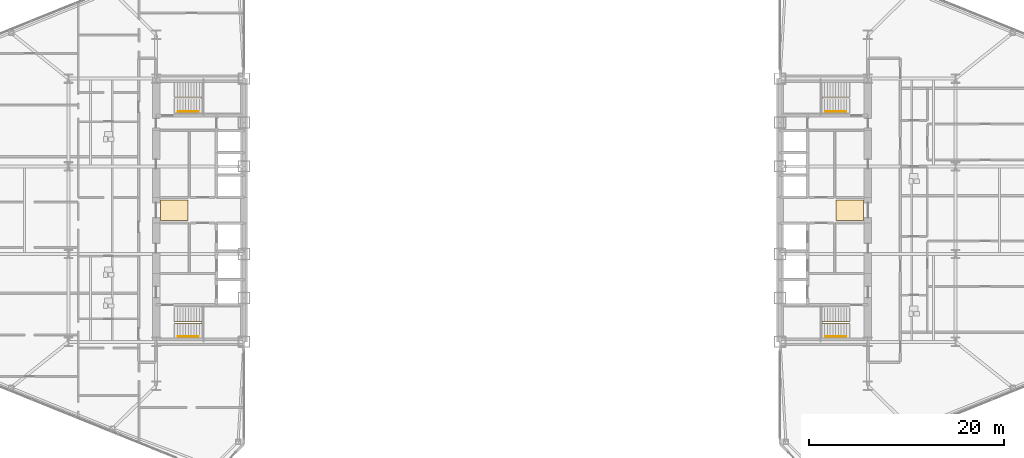
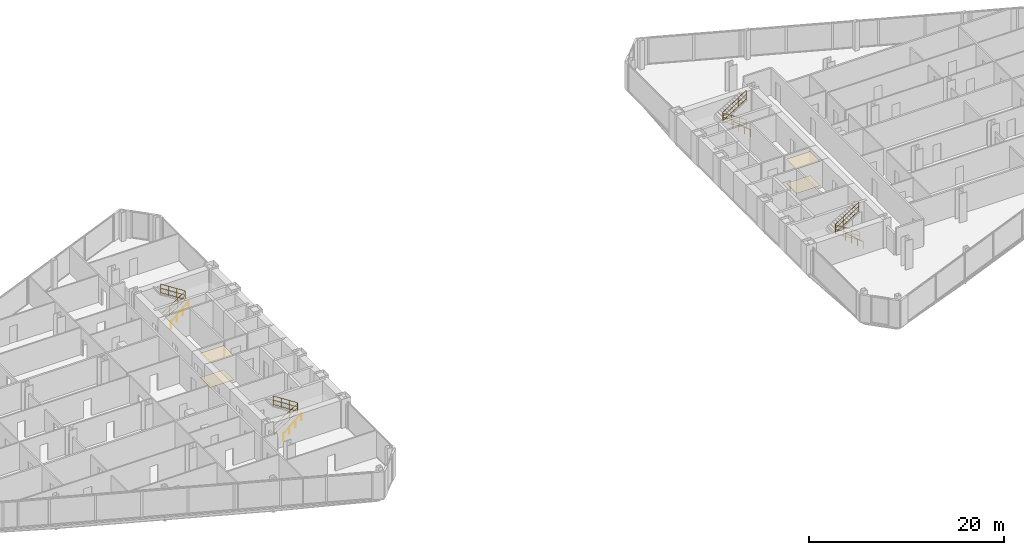
# One storey, part 24 of 25: 8 railings, 4 coverings.
"""IFC4 building model written with IfcOpenShell, lengths in metres."""

from ifc_helpers import new_model, si_unit, direction, frame, origin, origin_2d, place, context, subcontext, project, spatial, polyline, circle, outline, extrude, material, layer, layer_set, type_object, element, save


model = new_model("IFC4")

# Units and contexts
model_context = context("Model", 3, precision=1e-05, world=origin(), true_north=direction((0.0, 1.0)))
body_context = subcontext(model_context, "Body", "Model", "MODEL_VIEW")
ifc_project = project(units=[si_unit("LENGTHUNIT", "METRE"), si_unit("AREAUNIT", "SQUARE_METRE"), si_unit("VOLUMEUNIT", "CUBIC_METRE"), si_unit("PLANEANGLEUNIT", "RADIAN"), si_unit("MASSUNIT", "GRAM", prefix="KILO")], contexts=[model_context])

# Site, building, storey
site_placement = place(None, origin())
site = spatial("IfcSite", under=ifc_project, at=site_placement, CompositionType="ELEMENT")
building_placement = place(site_placement, origin())
building = spatial("IfcBuilding", under=site, at=building_placement, Name="Seokmaru Belvedere", CompositionType="ELEMENT")
storey_placement = place(building_placement, frame((0.0, 0.0, 44.10009765625)))
storey = spatial("IfcBuildingStorey", under=building, at=storey_placement, Name="L11", CompositionType="ELEMENT", Elevation=44.10009765625)

# Coverings
ifc_material_1 = material(Name="Engineered White Oak Timber", Category="wood")
ifc_layer_1 = layer(ifc_material_1, 0.02197265625)
ifc_layer_set_1 = layer_set([ifc_layer_1], Name="Engineered White Oak Timber")
covering_type_1 = type_object("IfcCoveringType", Name="Engineered Oak Residence Floor Finish 22", PredefinedType="FLOORING", material=ifc_layer_set_1)
covering_1_placement = place(storey_placement, origin())
element("IfcCovering", 1, at=covering_1_placement, inside=storey, type_object=covering_type_1, Name="L11 W Foyer Floor Finish", PredefinedType="FLOORING", context=body_context, shape_type="SweptSolid", body=[
    extrude(outline(polyline([(-36.050048828125, -1.050048828125), (-33.25, -1.050048828125), (-33.25, 1.050048828125), (-36.050048828125, 1.050048828125), (-36.050048828125, -1.050048828125)])), origin(), (0.0, 0.0, 1.0), 0.02197265625),
])
covering_2_placement = place(storey_placement, origin())
element("IfcCovering", 2, at=covering_2_placement, inside=storey, type_object=covering_type_1, Name="L11 E Foyer Floor Finish", PredefinedType="FLOORING", context=body_context, shape_type="SweptSolid", body=[
    extrude(outline(polyline([(33.25, -1.050048828125), (36.050048828125, -1.050048828125), (36.050048828125, 1.050048828125), (33.25, 1.050048828125), (33.25, -1.050048828125)])), origin(), (0.0, 0.0, 1.0), 0.02197265625),
])
ifc_material_2 = material(Name="Fire-Rated Gypsum Shaftwall")
ifc_layer_2 = layer(ifc_material_2, 0.02490234375)
ifc_layer_set_2 = layer_set([ifc_layer_2], Name="Fire-Rated Gypsum Shaftwall")
covering_type_2 = type_object("IfcCoveringType", Name="Perforated Acoustic Gypsum Suspended Ceiling 25", PredefinedType="CEILING", material=ifc_layer_set_2)
covering_3_placement = place(storey_placement, frame((0.0, 0.0, 3.02978515625)))
element("IfcCovering", 3, at=covering_3_placement, inside=storey, type_object=covering_type_2, Name="L11 W Lift Foyer Acoustic Ceiling", PredefinedType="CEILING", context=body_context, shape_type="SweptSolid", body=[
    extrude(outline(polyline([(-36.050048828125, -1.050048828125), (-33.25, -1.050048828125), (-33.25, 1.050048828125), (-36.050048828125, 1.050048828125), (-36.050048828125, -1.050048828125)])), origin(), (0.0, 0.0, 1.0), 0.025146484375),
])
covering_4_placement = place(storey_placement, frame((0.0, 0.0, 3.02978515625)))
element("IfcCovering", 4, at=covering_4_placement, inside=storey, type_object=covering_type_2, Name="L11 E Lift Foyer Acoustic Ceiling", PredefinedType="CEILING", context=body_context, shape_type="SweptSolid", body=[
    extrude(outline(polyline([(33.25, -1.050048828125), (36.050048828125, -1.050048828125), (36.050048828125, 1.050048828125), (33.25, 1.050048828125), (33.25, -1.050048828125)])), origin(), (0.0, 0.0, 1.0), 0.025146484375),
])

# Railings
ifc_material_3 = material(Name="Stainless Steel 316", Category="steel")
railing_type_1 = type_object("IfcRailingType", Name="Stainless Steel Wall and Flight Handrail 900", PredefinedType="HANDRAIL", material=ifc_material_3)
for number, where, name in (
    (5, (-34.25, -12.949951171875, 0.0), "L11 Stair ST-W1 Wall Handrail"),
    (6, (-34.25, 10.110107421875, 0.0), "L11 Stair ST-W2 Wall Handrail"),
):
    element("IfcRailing", number, at=place(storey_placement, frame(where)), inside=storey, type_object=railing_type_1, Name=name, PredefinedType="HANDRAIL", context=body_context, shape_type="SweptSolid", body=[
        extrude(circle(Radius=0.02392578125, at=origin_2d()), frame((0.0, 0.0, 0.8759765625), z_axis=(0.759306447245, 0.0, 0.650733216588), x_axis=(0.0, 1.0, 0.0)), (0.0, 0.0, 1.0), 2.765869140625),
        extrude(circle(Radius=0.02099609375, at=origin_2d()), origin(), (0.0, 0.0, 1.0), 0.851806640625),
        extrude(circle(Radius=0.02099609375, at=origin_2d()), frame((0.699951171875, 0.0, 0.599853515625)), (0.0, 0.0, 1.0), 0.851806640625),
        extrude(circle(Radius=0.02099609375, at=origin_2d()), frame((1.400146484375, 0.0, 1.199951171875)), (0.0, 0.0, 1.0), 0.851806640625),
        extrude(circle(Radius=0.02099609375, at=origin_2d()), frame((2.10009765625, 0.0, 1.7998046875)), (0.0, 0.0, 1.0), 0.851806640625),
    ])
for number, where, name in (
    (7, (34.25, -12.949951171875, 0.0), "L11 Stair ST-E1 Wall Handrail"),
    (8, (34.25, 10.110107421875, 0.0), "L11 Stair ST-E2 Wall Handrail"),
):
    element("IfcRailing", number, at=place(storey_placement, frame(where)), inside=storey, type_object=railing_type_1, Name=name, PredefinedType="HANDRAIL", context=body_context, shape_type="SweptSolid", body=[
        extrude(circle(Radius=0.02392578125, at=origin_2d()), frame((0.0, 0.0, 0.8759765625), z_axis=(-0.759306447245, 0.0, 0.650733216588), x_axis=(0.0, -1.0, 0.0)), (0.0, 0.0, 1.0), 2.765869140625),
        extrude(circle(Radius=0.02099609375, at=origin_2d()), origin(), (0.0, 0.0, 1.0), 0.851806640625),
        extrude(circle(Radius=0.02099609375, at=origin_2d()), frame((-0.699951171875, 0.0, 0.599853515625)), (0.0, 0.0, 1.0), 0.851806640625),
        extrude(circle(Radius=0.02099609375, at=origin_2d()), frame((-1.400146484375, 0.0, 1.199951171875)), (0.0, 0.0, 1.0), 0.851806640625),
        extrude(circle(Radius=0.02099609375, at=origin_2d()), frame((-2.10009765625, 0.0, 1.7998046875)), (0.0, 0.0, 1.0), 0.851806640625),
    ])
railing_type_2 = type_object("IfcRailingType", Name="Stair Well and Atrium Steel Guardrail 1200", PredefinedType="GUARDRAIL", material=ifc_material_3)
railing_1_placement = place(storey_placement, frame((-34.60009765625, -11.60009765625, 0.0)))
element("IfcRailing", 9, at=railing_1_placement, inside=storey, type_object=railing_type_2, Name="L11 Stair ST-W1 Inner Well Guardrail", PredefinedType="GUARDRAIL", context=body_context, shape_type="SweptSolid", body=[
    extrude(circle(Radius=0.02392578125, at=origin_2d()), frame((0.0, 0.0, 1.17578125), z_axis=(0.841209454229, 0.0, 0.540709398952), x_axis=(0.0, 1.0, 0.0)), (0.0, 0.0, 1.0), 3.32861328125),
    extrude(circle(Radius=0.02392578125, at=origin_2d()), frame((0.0, 0.0, 0.1201171875), z_axis=(0.841209454229, 0.0, 0.540709398952), x_axis=(0.0, 1.0, 0.0)), (0.0, 0.0, 1.0), 3.32861328125),
    extrude(circle(Radius=0.02392578125, at=origin_2d()), frame((0.0, 0.0, 0.659912109375), z_axis=(0.841209454229, 0.0, 0.540709398952), x_axis=(0.0, 1.0, 0.0)), (0.0, 0.0, 1.0), 3.32861328125),
    extrude(circle(Radius=0.02392578125, at=origin_2d()), frame((2.800048828125, 0.0, 2.9755859375), z_axis=(0.0, 1.0, 0.0), x_axis=(-1.0, 0.0, 0.0)), (0.0, 0.0, 1.0), 0.14013671875),
    extrude(circle(Radius=0.02392578125, at=origin_2d()), frame((2.800048828125, 0.0, 1.919921875), z_axis=(0.0, 1.0, 0.0), x_axis=(-1.0, 0.0, 0.0)), (0.0, 0.0, 1.0), 0.14013671875),
    extrude(circle(Radius=0.02392578125, at=origin_2d()), frame((2.800048828125, 0.0, 2.459716796875), z_axis=(0.0, 1.0, 0.0), x_axis=(-1.0, 0.0, 0.0)), (0.0, 0.0, 1.0), 0.14013671875),
    extrude(circle(Radius=0.02392578125, at=origin_2d()), frame((2.800048828125, 0.14013671875, 2.9755859375), z_axis=(-0.841176092368, 0.0, 0.540761298198), x_axis=(0.0, -1.0, 0.0)), (0.0, 0.0, 1.0), 3.32861328125),
    extrude(circle(Radius=0.02392578125, at=origin_2d()), frame((2.800048828125, 0.14013671875, 1.919921875), z_axis=(-0.841176092368, 0.0, 0.540761298198), x_axis=(0.0, -1.0, 0.0)), (0.0, 0.0, 1.0), 3.32861328125),
    extrude(circle(Radius=0.02392578125, at=origin_2d()), frame((2.800048828125, 0.14013671875, 2.459716796875), z_axis=(-0.841176092368, 0.0, 0.540761298198), x_axis=(0.0, -1.0, 0.0)), (0.0, 0.0, 1.0), 3.32861328125),
    extrude(circle(Radius=0.02099609375, at=origin_2d()), origin(), (0.0, 0.0, 1.0), 1.15185546875),
    extrude(circle(Radius=0.02099609375, at=origin_2d()), frame((0.933349609375, 0.0, 0.599853515625)), (0.0, 0.0, 1.0), 1.15185546875),
    extrude(circle(Radius=0.02099609375, at=origin_2d()), frame((1.86669921875, 0.0, 1.199951171875)), (0.0, 0.0, 1.0), 1.15185546875),
    extrude(circle(Radius=0.02099609375, at=origin_2d()), frame((2.800048828125, 0.0, 1.7998046875)), (0.0, 0.0, 1.0), 1.15185546875),
    extrude(circle(Radius=0.02099609375, at=origin_2d()), frame((2.800048828125, 0.14013671875, 1.7998046875)), (0.0, 0.0, 1.0), 1.15185546875),
    extrude(circle(Radius=0.02099609375, at=origin_2d()), frame((1.86669921875, 0.14013671875, 2.39990234375)), (0.0, 0.0, 1.0), 1.15185546875),
    extrude(circle(Radius=0.02099609375, at=origin_2d()), frame((0.933349609375, 0.14013671875, 2.999755859375)), (0.0, 0.0, 1.0), 1.15185546875),
    extrude(circle(Radius=0.02099609375, at=origin_2d()), frame((0.0, 0.14013671875, 3.599853515625)), (0.0, 0.0, 1.0), 1.15185546875),
])
railing_2_placement = place(storey_placement, frame((-34.60009765625, 11.4599609375, 0.0)))
element("IfcRailing", 10, at=railing_2_placement, inside=storey, type_object=railing_type_2, Name="L11 Stair ST-W2 Inner Well Guardrail", PredefinedType="GUARDRAIL", context=body_context, shape_type="SweptSolid", body=[
    extrude(circle(Radius=0.02392578125, at=origin_2d()), frame((0.0, 0.0, 1.17578125), z_axis=(0.841209454229, 0.0, 0.540709398952), x_axis=(0.0, 1.0, 0.0)), (0.0, 0.0, 1.0), 3.32861328125),
    extrude(circle(Radius=0.02392578125, at=origin_2d()), frame((0.0, 0.0, 0.1201171875), z_axis=(0.841209454229, 0.0, 0.540709398952), x_axis=(0.0, 1.0, 0.0)), (0.0, 0.0, 1.0), 3.32861328125),
    extrude(circle(Radius=0.02392578125, at=origin_2d()), frame((0.0, 0.0, 0.659912109375), z_axis=(0.841209454229, 0.0, 0.540709398952), x_axis=(0.0, 1.0, 0.0)), (0.0, 0.0, 1.0), 3.32861328125),
    extrude(circle(Radius=0.02392578125, at=origin_2d()), frame((2.800048828125, 0.0, 2.9755859375), z_axis=(0.0, 1.0, 0.0), x_axis=(-1.0, 0.0, 0.0)), (0.0, 0.0, 1.0), 0.14013671875),
    extrude(circle(Radius=0.02392578125, at=origin_2d()), frame((2.800048828125, 0.0, 1.919921875), z_axis=(0.0, 1.0, 0.0), x_axis=(-1.0, 0.0, 0.0)), (0.0, 0.0, 1.0), 0.14013671875),
    extrude(circle(Radius=0.02392578125, at=origin_2d()), frame((2.800048828125, 0.0, 2.459716796875), z_axis=(0.0, 1.0, 0.0), x_axis=(-1.0, 0.0, 0.0)), (0.0, 0.0, 1.0), 0.14013671875),
    extrude(circle(Radius=0.02392578125, at=origin_2d()), frame((2.800048828125, 0.14013671875, 2.9755859375), z_axis=(-0.841176092368, 0.0, 0.540761298198), x_axis=(0.0, -1.0, 0.0)), (0.0, 0.0, 1.0), 3.32861328125),
    extrude(circle(Radius=0.02392578125, at=origin_2d()), frame((2.800048828125, 0.14013671875, 1.919921875), z_axis=(-0.841176092368, 0.0, 0.540761298198), x_axis=(0.0, -1.0, 0.0)), (0.0, 0.0, 1.0), 3.32861328125),
    extrude(circle(Radius=0.02392578125, at=origin_2d()), frame((2.800048828125, 0.14013671875, 2.459716796875), z_axis=(-0.841176092368, 0.0, 0.540761298198), x_axis=(0.0, -1.0, 0.0)), (0.0, 0.0, 1.0), 3.32861328125),
    extrude(circle(Radius=0.02099609375, at=origin_2d()), origin(), (0.0, 0.0, 1.0), 1.15185546875),
    extrude(circle(Radius=0.02099609375, at=origin_2d()), frame((0.933349609375, 0.0, 0.599853515625)), (0.0, 0.0, 1.0), 1.15185546875),
    extrude(circle(Radius=0.02099609375, at=origin_2d()), frame((1.86669921875, 0.0, 1.199951171875)), (0.0, 0.0, 1.0), 1.15185546875),
    extrude(circle(Radius=0.02099609375, at=origin_2d()), frame((2.800048828125, 0.0, 1.7998046875)), (0.0, 0.0, 1.0), 1.15185546875),
    extrude(circle(Radius=0.02099609375, at=origin_2d()), frame((2.800048828125, 0.14013671875, 1.7998046875)), (0.0, 0.0, 1.0), 1.15185546875),
    extrude(circle(Radius=0.02099609375, at=origin_2d()), frame((1.86669921875, 0.14013671875, 2.39990234375)), (0.0, 0.0, 1.0), 1.15185546875),
    extrude(circle(Radius=0.02099609375, at=origin_2d()), frame((0.933349609375, 0.14013671875, 2.999755859375)), (0.0, 0.0, 1.0), 1.15185546875),
    extrude(circle(Radius=0.02099609375, at=origin_2d()), frame((0.0, 0.14013671875, 3.599853515625)), (0.0, 0.0, 1.0), 1.15185546875),
])
railing_3_placement = place(storey_placement, frame((34.60009765625, -11.60009765625, 0.0)))
element("IfcRailing", 11, at=railing_3_placement, inside=storey, type_object=railing_type_2, Name="L11 Stair ST-E1 Inner Well Guardrail", PredefinedType="GUARDRAIL", context=body_context, shape_type="SweptSolid", body=[
    extrude(circle(Radius=0.02392578125, at=origin_2d()), frame((0.0, 0.0, 1.17578125), z_axis=(-0.841209454229, 0.0, 0.540709398952), x_axis=(0.0, -1.0, 0.0)), (0.0, 0.0, 1.0), 3.32861328125),
    extrude(circle(Radius=0.02392578125, at=origin_2d()), frame((0.0, 0.0, 0.1201171875), z_axis=(-0.841209454229, 0.0, 0.540709398952), x_axis=(0.0, -1.0, 0.0)), (0.0, 0.0, 1.0), 3.32861328125),
    extrude(circle(Radius=0.02392578125, at=origin_2d()), frame((0.0, 0.0, 0.659912109375), z_axis=(-0.841209454229, 0.0, 0.540709398952), x_axis=(0.0, -1.0, 0.0)), (0.0, 0.0, 1.0), 3.32861328125),
    extrude(circle(Radius=0.02392578125, at=origin_2d()), frame((-2.800048828125, 0.0, 2.9755859375), z_axis=(0.0, 1.0, 0.0), x_axis=(-1.0, 0.0, 0.0)), (0.0, 0.0, 1.0), 0.14013671875),
    extrude(circle(Radius=0.02392578125, at=origin_2d()), frame((-2.800048828125, 0.0, 1.919921875), z_axis=(0.0, 1.0, 0.0), x_axis=(-1.0, 0.0, 0.0)), (0.0, 0.0, 1.0), 0.14013671875),
    extrude(circle(Radius=0.02392578125, at=origin_2d()), frame((-2.800048828125, 0.0, 2.459716796875), z_axis=(0.0, 1.0, 0.0), x_axis=(-1.0, 0.0, 0.0)), (0.0, 0.0, 1.0), 0.14013671875),
    extrude(circle(Radius=0.02392578125, at=origin_2d()), frame((-2.800048828125, 0.14013671875, 2.9755859375), z_axis=(0.841176092368, 0.0, 0.540761298198), x_axis=(0.0, 1.0, 0.0)), (0.0, 0.0, 1.0), 3.32861328125),
    extrude(circle(Radius=0.02392578125, at=origin_2d()), frame((-2.800048828125, 0.14013671875, 1.919921875), z_axis=(0.841176092368, 0.0, 0.540761298198), x_axis=(0.0, 1.0, 0.0)), (0.0, 0.0, 1.0), 3.32861328125),
    extrude(circle(Radius=0.02392578125, at=origin_2d()), frame((-2.800048828125, 0.14013671875, 2.459716796875), z_axis=(0.841176092368, 0.0, 0.540761298198), x_axis=(0.0, 1.0, 0.0)), (0.0, 0.0, 1.0), 3.32861328125),
    extrude(circle(Radius=0.02099609375, at=origin_2d()), origin(), (0.0, 0.0, 1.0), 1.15185546875),
    extrude(circle(Radius=0.02099609375, at=origin_2d()), frame((-0.933349609375, 0.0, 0.599853515625)), (0.0, 0.0, 1.0), 1.15185546875),
    extrude(circle(Radius=0.02099609375, at=origin_2d()), frame((-1.86669921875, 0.0, 1.199951171875)), (0.0, 0.0, 1.0), 1.15185546875),
    extrude(circle(Radius=0.02099609375, at=origin_2d()), frame((-2.800048828125, 0.0, 1.7998046875)), (0.0, 0.0, 1.0), 1.15185546875),
    extrude(circle(Radius=0.02099609375, at=origin_2d()), frame((-2.800048828125, 0.14013671875, 1.7998046875)), (0.0, 0.0, 1.0), 1.15185546875),
    extrude(circle(Radius=0.02099609375, at=origin_2d()), frame((-1.86669921875, 0.14013671875, 2.39990234375)), (0.0, 0.0, 1.0), 1.15185546875),
    extrude(circle(Radius=0.02099609375, at=origin_2d()), frame((-0.933349609375, 0.14013671875, 2.999755859375)), (0.0, 0.0, 1.0), 1.15185546875),
    extrude(circle(Radius=0.02099609375, at=origin_2d()), frame((0.0, 0.14013671875, 3.599853515625)), (0.0, 0.0, 1.0), 1.15185546875),
])
railing_4_placement = place(storey_placement, frame((34.60009765625, 11.4599609375, 0.0)))
element("IfcRailing", 12, at=railing_4_placement, inside=storey, type_object=railing_type_2, Name="L11 Stair ST-E2 Inner Well Guardrail", PredefinedType="GUARDRAIL", context=body_context, shape_type="SweptSolid", body=[
    extrude(circle(Radius=0.02392578125, at=origin_2d()), frame((0.0, 0.0, 1.17578125), z_axis=(-0.841209454229, 0.0, 0.540709398952), x_axis=(0.0, -1.0, 0.0)), (0.0, 0.0, 1.0), 3.32861328125),
    extrude(circle(Radius=0.02392578125, at=origin_2d()), frame((0.0, 0.0, 0.1201171875), z_axis=(-0.841209454229, 0.0, 0.540709398952), x_axis=(0.0, -1.0, 0.0)), (0.0, 0.0, 1.0), 3.32861328125),
    extrude(circle(Radius=0.02392578125, at=origin_2d()), frame((0.0, 0.0, 0.659912109375), z_axis=(-0.841209454229, 0.0, 0.540709398952), x_axis=(0.0, -1.0, 0.0)), (0.0, 0.0, 1.0), 3.32861328125),
    extrude(circle(Radius=0.02392578125, at=origin_2d()), frame((-2.800048828125, 0.0, 2.9755859375), z_axis=(0.0, 1.0, 0.0), x_axis=(-1.0, 0.0, 0.0)), (0.0, 0.0, 1.0), 0.14013671875),
    extrude(circle(Radius=0.02392578125, at=origin_2d()), frame((-2.800048828125, 0.0, 1.919921875), z_axis=(0.0, 1.0, 0.0), x_axis=(-1.0, 0.0, 0.0)), (0.0, 0.0, 1.0), 0.14013671875),
    extrude(circle(Radius=0.02392578125, at=origin_2d()), frame((-2.800048828125, 0.0, 2.459716796875), z_axis=(0.0, 1.0, 0.0), x_axis=(-1.0, 0.0, 0.0)), (0.0, 0.0, 1.0), 0.14013671875),
    extrude(circle(Radius=0.02392578125, at=origin_2d()), frame((-2.800048828125, 0.14013671875, 2.9755859375), z_axis=(0.841176092368, 0.0, 0.540761298198), x_axis=(0.0, 1.0, 0.0)), (0.0, 0.0, 1.0), 3.32861328125),
    extrude(circle(Radius=0.02392578125, at=origin_2d()), frame((-2.800048828125, 0.14013671875, 1.919921875), z_axis=(0.841176092368, 0.0, 0.540761298198), x_axis=(0.0, 1.0, 0.0)), (0.0, 0.0, 1.0), 3.32861328125),
    extrude(circle(Radius=0.02392578125, at=origin_2d()), frame((-2.800048828125, 0.14013671875, 2.459716796875), z_axis=(0.841176092368, 0.0, 0.540761298198), x_axis=(0.0, 1.0, 0.0)), (0.0, 0.0, 1.0), 3.32861328125),
    extrude(circle(Radius=0.02099609375, at=origin_2d()), origin(), (0.0, 0.0, 1.0), 1.15185546875),
    extrude(circle(Radius=0.02099609375, at=origin_2d()), frame((-0.933349609375, 0.0, 0.599853515625)), (0.0, 0.0, 1.0), 1.15185546875),
    extrude(circle(Radius=0.02099609375, at=origin_2d()), frame((-1.86669921875, 0.0, 1.199951171875)), (0.0, 0.0, 1.0), 1.15185546875),
    extrude(circle(Radius=0.02099609375, at=origin_2d()), frame((-2.800048828125, 0.0, 1.7998046875)), (0.0, 0.0, 1.0), 1.15185546875),
    extrude(circle(Radius=0.02099609375, at=origin_2d()), frame((-2.800048828125, 0.14013671875, 1.7998046875)), (0.0, 0.0, 1.0), 1.15185546875),
    extrude(circle(Radius=0.02099609375, at=origin_2d()), frame((-1.86669921875, 0.14013671875, 2.39990234375)), (0.0, 0.0, 1.0), 1.15185546875),
    extrude(circle(Radius=0.02099609375, at=origin_2d()), frame((-0.933349609375, 0.14013671875, 2.999755859375)), (0.0, 0.0, 1.0), 1.15185546875),
    extrude(circle(Radius=0.02099609375, at=origin_2d()), frame((0.0, 0.14013671875, 3.599853515625)), (0.0, 0.0, 1.0), 1.15185546875),
])

save(model, "model.ifc")
